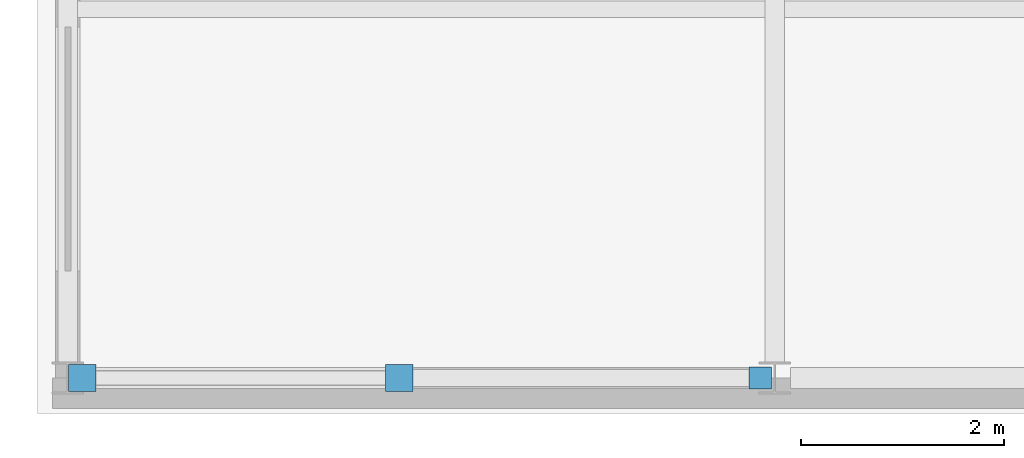
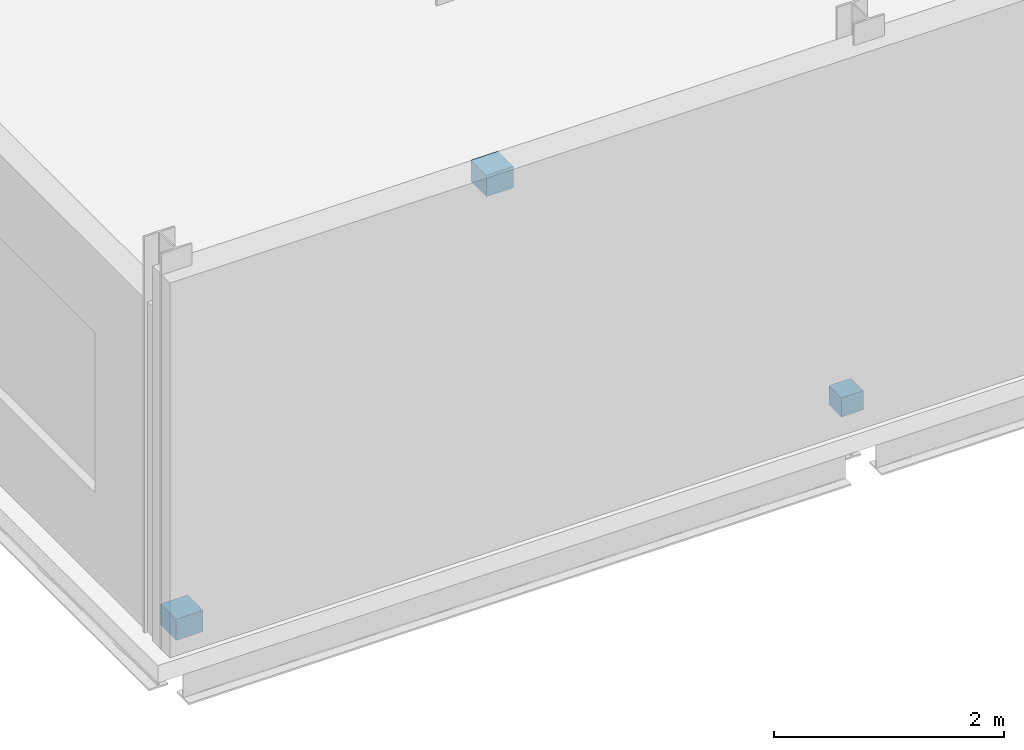
# One storey, part 48 of 65: 3 plates.
"""IFC4 building model written with IfcOpenShell, lengths in metres."""

import ifcopenshell
import ifcopenshell.guid

model = None  # the IFC model being written
_history = None  # IfcOwnerHistory: only IFC2X3 demands one
_inside = {}  # id of a spatial element -> (the spatial element, [elements in it])
_under = {}  # id of a project, library or spatial element -> (it, [spatial elements below it])
_declared = {}  # id of a project -> (the project, [libraries it declares])
_typed = {}  # id of a type object -> (the type object, [elements of that type])
_made_of = {}  # id of a material, layer set ... -> (it, [elements and type objects made of it])


def new_model(schema):
    """Start an empty IFC model of exactly this schema.

    Asked for "IFC4X3", IfcOpenShell would pick the latest addendum, in which some entities
    have other attributes; the version numbers below select the first issue.
    IFC2X3 requires an IfcOwnerHistory on every rooted entity: one is made here for all.
    """
    global model, _history
    if schema == "IFC4X3":
        model = ifcopenshell.file(schema_version=(4, 3, 0, 0))
    else:
        model = ifcopenshell.file(schema=schema)
    _inside.clear()
    _under.clear()
    _declared.clear()
    _typed.clear()
    _made_of.clear()
    _history = None
    if model.schema == "IFC2X3":
        org = make("IfcOrganization", Name="unknown")
        user = make(
            "IfcPersonAndOrganization",
            ThePerson=make("IfcPerson", FamilyName="unknown"),
            TheOrganization=org,
        )
        app = make(
            "IfcApplication",
            ApplicationDeveloper=org,
            Version="unknown",
            ApplicationFullName="unknown",
            ApplicationIdentifier="unknown",
        )
        _history = make(
            "IfcOwnerHistory",
            OwningUser=user,
            OwningApplication=app,
            ChangeAction="ADDED",
            CreationDate=0,
        )
    return model


def make(cls, **values):
    """One entity of the class cls with the attributes given. An attribute that is None is left unset."""
    return model.create_entity(
        cls, **{name: value for name, value in values.items() if value is not None}
    )


def rooted(cls, **values):
    """An entity with a GlobalId (a new one), such as an element, a storey or a relation."""
    return make(cls, GlobalId=ifcopenshell.guid.new(), OwnerHistory=_history, **values)


def si_unit(unit_type, name, prefix=None):
    """IfcSIUnit, for example si_unit("LENGTHUNIT", "METRE", prefix="MILLI")."""
    return make("IfcSIUnit", UnitType=unit_type, Prefix=prefix, Name=name)


def assignment(units):
    """IfcUnitAssignment: the units of a project."""
    return None if units is None else make("IfcUnitAssignment", Units=units)


def point(xyz):
    """IfcCartesianPoint."""
    return None if xyz is None else make("IfcCartesianPoint", Coordinates=xyz)


def direction(xyz):
    """IfcDirection."""
    return None if xyz is None else make("IfcDirection", DirectionRatios=xyz)


def frame(location, z_axis=None, x_axis=None):
    """IfcAxis2Placement3D, a coordinate frame: its origin and axes. An axis left out is left unset."""
    return make(
        "IfcAxis2Placement3D",
        Location=point(location),
        Axis=direction(z_axis),
        RefDirection=direction(x_axis),
    )


def frame_2d(location, x_axis=None):
    """IfcAxis2Placement2D, a coordinate frame in the plane: its origin and x axis."""
    return make(
        "IfcAxis2Placement2D", Location=point(location), RefDirection=direction(x_axis)
    )


def origin():
    """The frame at (0, 0, 0) with its axes left unset."""
    return frame((0.0, 0.0, 0.0))


def origin_2d():
    """The frame at (0, 0) in the plane with its x axis left unset."""
    return frame_2d((0.0, 0.0))


def place(relative_to, where):
    """IfcLocalPlacement: puts the frame where relative to a parent placement (None: the world)."""
    return make(
        "IfcLocalPlacement", PlacementRelTo=relative_to, RelativePlacement=where
    )


def context(
    kind, dimensions, precision=None, world=None, true_north=None, identifier=None
):
    """IfcGeometricRepresentationContext, for example the 3D "Model" context."""
    return make(
        "IfcGeometricRepresentationContext",
        ContextIdentifier=identifier,
        ContextType=kind,
        CoordinateSpaceDimension=dimensions,
        Precision=precision,
        WorldCoordinateSystem=world,
        TrueNorth=true_north,
    )


def subcontext(parent, identifier, kind, view, scale=None):
    """IfcGeometricRepresentationSubContext, for example "Body" below "Model"."""
    return make(
        "IfcGeometricRepresentationSubContext",
        ContextIdentifier=identifier,
        ContextType=kind,
        ParentContext=parent,
        TargetScale=scale,
        TargetView=view,
    )


def project(units=None, contexts=None):
    """IfcProject with its units and contexts."""
    return rooted(
        "IfcProject",
        Name="project",
        RepresentationContexts=contexts,
        UnitsInContext=assignment(units),
    )


def spatial(cls, under=None, at=None, **own):
    """A site, building, storey or space (cls), placed at a placement, below another one or the project."""
    s = rooted(cls, ObjectPlacement=at, **own)
    if under is not None:
        _under.setdefault(under.id(), (under, []))[1].append(s)
    return s


def profile(cls, at=None, kind="AREA", **sizes):
    """A parametric profile (cls). Its sizes go by their IFC names, for example OverallWidth=200.0."""
    return make(cls, ProfileType=kind, Position=at, **sizes)


def rectangle(**sizes):
    """IfcRectangleProfileDef."""
    return profile("IfcRectangleProfileDef", **sizes)


def extrude(swept, where, along, depth):
    """IfcExtrudedAreaSolid: the profile swept, set in the frame where, extruded along a direction by depth."""
    return make(
        "IfcExtrudedAreaSolid",
        SweptArea=swept,
        Position=where,
        ExtrudedDirection=direction(along),
        Depth=depth,
    )


def shape(context_of_items, identifier, shape_type, items):
    """IfcShapeRepresentation: the items that make up one representation, for example the "Body"."""
    return make(
        "IfcShapeRepresentation",
        ContextOfItems=context_of_items,
        RepresentationIdentifier=identifier,
        RepresentationType=shape_type,
        Items=items,
    )


def material(Name=None, Category=None):
    """IfcMaterial."""
    return make("IfcMaterial", Name=Name, Category=Category)


def layer(
    of_material, thickness, ventilated=None, Name=None, Category=None, Priority=None
):
    """IfcMaterialLayer: one layer of a wall or slab, of a material (None: an air gap)."""
    return make(
        "IfcMaterialLayer",
        Material=of_material,
        LayerThickness=thickness,
        IsVentilated=ventilated,
        Name=Name,
        Category=Category,
        Priority=Priority,
    )


def layer_set(layers, Name=None):
    """IfcMaterialLayerSet."""
    return make("IfcMaterialLayerSet", MaterialLayers=layers, LayerSetName=Name)


def made_of(thing, what):
    """Note that an element or type object is made of a material, layer set ...; save() writes the relation."""
    if what is not None:
        _made_of.setdefault(what.id(), (what, []))[1].append(thing)
    return thing


def type_object(cls, material=None, **own):
    """A type object (cls), such as IfcWallType, which elements share."""
    return made_of(rooted(cls, **own), material)


def element(
    cls,
    number,
    at=None,
    inside=None,
    cuts=None,
    type_object=None,
    material=None,
    context=None,
    identifier="Body",
    shape_type=None,
    held_by="IfcProductDefinitionShape",
    body=None,
    shapes=None,
    **own,
):
    """One element of the class cls, such as IfcWall. Its Tag is "e" and its number.

    at: its placement. inside: the storey or other place that contains it. cuts: it is an
    opening in that element (IfcRelVoidsElement). A single representation is given by context,
    identifier, shape_type and body (its items); several are given by shapes. held_by: the class
    of the entity that holds the representations. save() writes the other relations.
    """
    e = rooted(cls, Tag="e%d" % number, ObjectPlacement=at, **own)
    if body is not None:
        shapes = [shape(context, identifier, shape_type, body)]
    if shapes is not None:
        e.Representation = make(held_by, Representations=shapes)
    if inside is not None:
        _inside.setdefault(inside.id(), (inside, []))[1].append(e)
    if cuts is not None:
        rooted(
            "IfcRelVoidsElement", RelatingBuildingElement=cuts, RelatedOpeningElement=e
        )
    if type_object is not None:
        _typed.setdefault(type_object.id(), (type_object, []))[1].append(e)
    return made_of(e, material)


def aggregate(whole, parts):
    """IfcRelAggregates: a whole, such as a stair, and the parts it consists of."""
    return rooted("IfcRelAggregates", RelatingObject=whole, RelatedObjects=parts)


def save(model, path):
    """Write the relations noted so far, then the file.

    IfcRelAggregates (storeys below a building ...), IfcRelContainedInSpatialStructure (elements
    in a storey), IfcRelDefinesByType, IfcRelAssociatesMaterial and IfcRelDeclares: one each for
    every whole, place, type object, material and project.
    """
    for whole, parts in _under.values():
        aggregate(whole, parts)
    for where, things in _inside.values():
        rooted(
            "IfcRelContainedInSpatialStructure",
            RelatedElements=things,
            RelatingStructure=where,
        )
    for kind, things in _typed.values():
        rooted("IfcRelDefinesByType", RelatedObjects=things, RelatingType=kind)
    for what, things in _made_of.values():
        rooted("IfcRelAssociatesMaterial", RelatedObjects=things, RelatingMaterial=what)
    for by, libraries in _declared.values():
        rooted("IfcRelDeclares", RelatingContext=by, RelatedDefinitions=libraries)
    model.write(path)


model = new_model("IFC4")

# Units and contexts
model_context = context("Model", 3, precision=1e-05, world=origin(), true_north=direction((0.0, 1.0)))
body_context = subcontext(model_context, "Body", "Model", "MODEL_VIEW")
ifc_project = project(units=[si_unit("LENGTHUNIT", "METRE"), si_unit("AREAUNIT", "SQUARE_METRE"), si_unit("VOLUMEUNIT", "CUBIC_METRE"), si_unit("PLANEANGLEUNIT", "RADIAN"), si_unit("MASSUNIT", "GRAM", prefix="KILO")], contexts=[model_context])

# Site, building, storey
site_placement = place(None, origin())
site = spatial("IfcSite", under=ifc_project, at=site_placement, CompositionType="ELEMENT")
building_placement = place(site_placement, origin())
building = spatial("IfcBuilding", under=site, at=building_placement, Name="Quillay Park Conservatory", CompositionType="ELEMENT")
storey_placement = place(building_placement, frame((0.0, 0.0, 14.10009765625)))
storey = spatial("IfcBuildingStorey", under=building, at=storey_placement, Name="L03", CompositionType="ELEMENT", Elevation=14.10009765625)

# Plates
ifc_material_1 = material(Name="Steel S355J2H", Category="steel")
ifc_layer_1 = layer(ifc_material_1, 0.02001953125)
ifc_layer_set_1 = layer_set([ifc_layer_1], Name="HOLLOW END CAP PLATE 220 X140 (Steel S355J2H)")
plate_type_1 = type_object("IfcPlateType", Name="HOLLOW END CAP PLATE 220 X140", PredefinedType="USERDEFINED", material=ifc_layer_set_1)
plate_placement = place(storey_placement, frame((7.357666015625, 0.550048828125, 0.04150390625), z_axis=(0.0, 0.0, 1.0), x_axis=(1.0, 0.0, 0.0)))
element("IfcPlate", 1, at=plate_placement, inside=storey, type_object=plate_type_1, Name="Hollow steel end cap ECP-0255", ObjectType="FLANGE PLATE", PredefinedType="USERDEFINED", context=body_context, shape_type="SweptSolid", body=[
    extrude(rectangle(XDim=0.219970703125, YDim=0.219970703125, at=origin_2d()), origin(), (0.0, 0.0, 1.0), 0.201416015625),
])
ifc_material_2 = material(Name="Steel S355J2H", Category="steel")
ifc_layer_2 = layer(ifc_material_2, 0.02197265625)
ifc_layer_set_2 = layer_set([ifc_layer_2], Name="HOLLOW END CAP PLATE 270 X170 (Steel S355J2H)")
plate_type_2 = type_object("IfcPlateType", Name="HOLLOW END CAP PLATE 270 X170", PredefinedType="USERDEFINED", material=ifc_layer_set_2)
for number, where, z_axis, x_axis, name in (
    (2, (0.69287109375, 0.550048828125, 0.029296875), (0.0, 0.0, 1.0), (1.0, 0.0, 0.0), "Hollow steel end cap ECP-0253"),
    (3, (3.80712890625, 0.550048828125, 3.64599609375), (0.0, 0.0, 1.0), (1.0, 0.0, 0.0), "Hollow steel end cap ECP-0254"),
):
    element("IfcPlate", number, at=place(storey_placement, frame(where, z_axis=z_axis, x_axis=x_axis)), inside=storey, type_object=plate_type_2, Name=name, ObjectType="FLANGE PLATE", PredefinedType="USERDEFINED", context=body_context, shape_type="SweptSolid", body=[
        extrude(rectangle(XDim=0.27001953125, YDim=0.27001953125, at=origin_2d()), origin(), (0.0, 0.0, 1.0), 0.224365234375),
    ])

save(model, "model.ifc")
